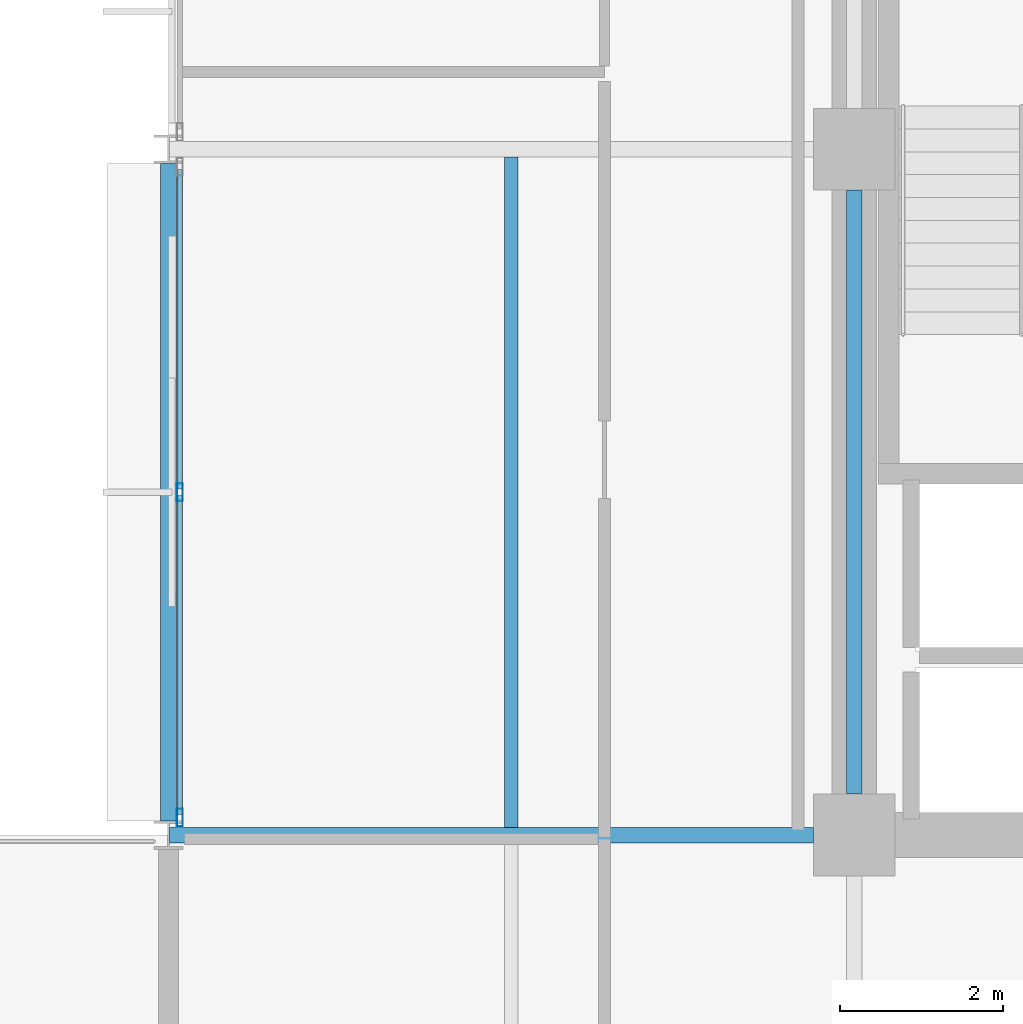
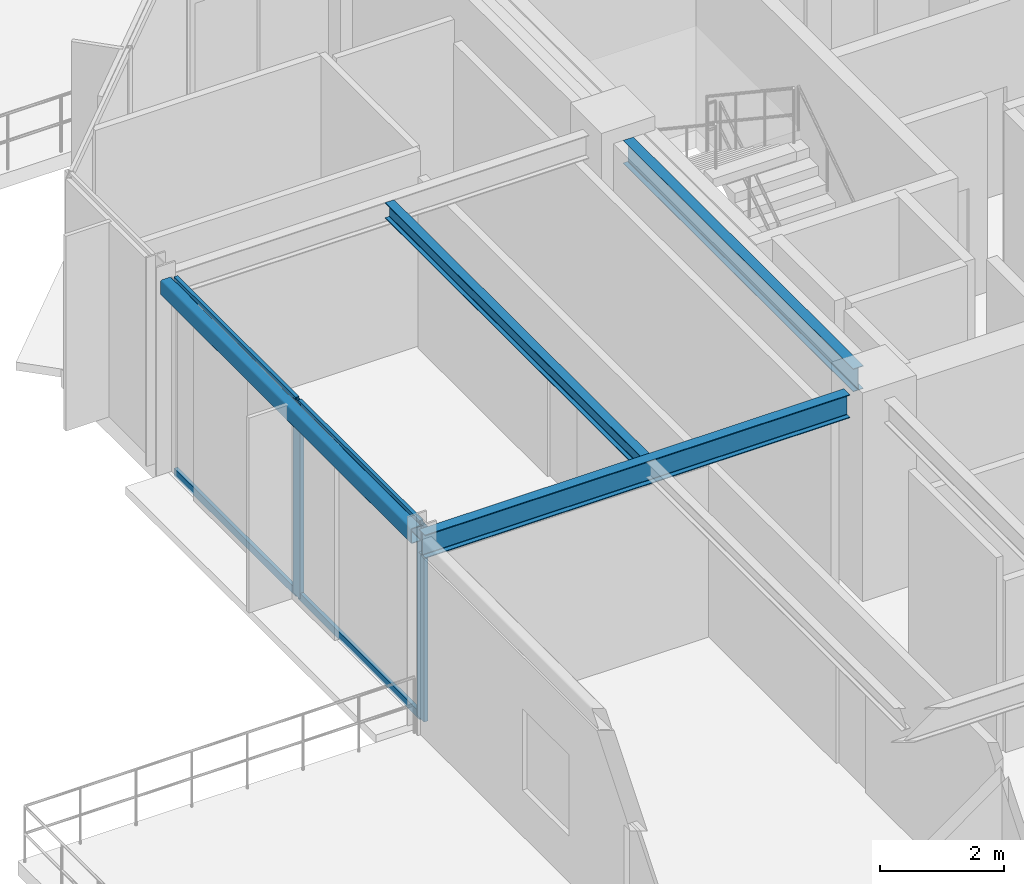
# One storey, part 5 of 21: 6 members, 4 beams, 1 element without a shape of its own.
"""IFC4 building model written with IfcOpenShell, lengths in metres."""

import ifcopenshell
import ifcopenshell.guid

model = None  # the IFC model being written
_history = None  # IfcOwnerHistory: only IFC2X3 demands one
_inside = {}  # id of a spatial element -> (the spatial element, [elements in it])
_under = {}  # id of a project, library or spatial element -> (it, [spatial elements below it])
_declared = {}  # id of a project -> (the project, [libraries it declares])
_typed = {}  # id of a type object -> (the type object, [elements of that type])
_made_of = {}  # id of a material, layer set ... -> (it, [elements and type objects made of it])


def new_model(schema):
    """Start an empty IFC model of exactly this schema.

    Asked for "IFC4X3", IfcOpenShell would pick the latest addendum, in which some entities
    have other attributes; the version numbers below select the first issue.
    IFC2X3 requires an IfcOwnerHistory on every rooted entity: one is made here for all.
    """
    global model, _history
    if schema == "IFC4X3":
        model = ifcopenshell.file(schema_version=(4, 3, 0, 0))
    else:
        model = ifcopenshell.file(schema=schema)
    _inside.clear()
    _under.clear()
    _declared.clear()
    _typed.clear()
    _made_of.clear()
    _history = None
    if model.schema == "IFC2X3":
        org = make("IfcOrganization", Name="unknown")
        user = make(
            "IfcPersonAndOrganization",
            ThePerson=make("IfcPerson", FamilyName="unknown"),
            TheOrganization=org,
        )
        app = make(
            "IfcApplication",
            ApplicationDeveloper=org,
            Version="unknown",
            ApplicationFullName="unknown",
            ApplicationIdentifier="unknown",
        )
        _history = make(
            "IfcOwnerHistory",
            OwningUser=user,
            OwningApplication=app,
            ChangeAction="ADDED",
            CreationDate=0,
        )
    return model


def make(cls, **values):
    """One entity of the class cls with the attributes given. An attribute that is None is left unset."""
    return model.create_entity(
        cls, **{name: value for name, value in values.items() if value is not None}
    )


def rooted(cls, **values):
    """An entity with a GlobalId (a new one), such as an element, a storey or a relation."""
    return make(cls, GlobalId=ifcopenshell.guid.new(), OwnerHistory=_history, **values)


def si_unit(unit_type, name, prefix=None):
    """IfcSIUnit, for example si_unit("LENGTHUNIT", "METRE", prefix="MILLI")."""
    return make("IfcSIUnit", UnitType=unit_type, Prefix=prefix, Name=name)


def assignment(units):
    """IfcUnitAssignment: the units of a project."""
    return None if units is None else make("IfcUnitAssignment", Units=units)


def point(xyz):
    """IfcCartesianPoint."""
    return None if xyz is None else make("IfcCartesianPoint", Coordinates=xyz)


def direction(xyz):
    """IfcDirection."""
    return None if xyz is None else make("IfcDirection", DirectionRatios=xyz)


def frame(location, z_axis=None, x_axis=None):
    """IfcAxis2Placement3D, a coordinate frame: its origin and axes. An axis left out is left unset."""
    return make(
        "IfcAxis2Placement3D",
        Location=point(location),
        Axis=direction(z_axis),
        RefDirection=direction(x_axis),
    )


def frame_2d(location, x_axis=None):
    """IfcAxis2Placement2D, a coordinate frame in the plane: its origin and x axis."""
    return make(
        "IfcAxis2Placement2D", Location=point(location), RefDirection=direction(x_axis)
    )


def origin():
    """The frame at (0, 0, 0) with its axes left unset."""
    return frame((0.0, 0.0, 0.0))


def origin_2d():
    """The frame at (0, 0) in the plane with its x axis left unset."""
    return frame_2d((0.0, 0.0))


def place(relative_to, where):
    """IfcLocalPlacement: puts the frame where relative to a parent placement (None: the world)."""
    return make(
        "IfcLocalPlacement", PlacementRelTo=relative_to, RelativePlacement=where
    )


def context(
    kind, dimensions, precision=None, world=None, true_north=None, identifier=None
):
    """IfcGeometricRepresentationContext, for example the 3D "Model" context."""
    return make(
        "IfcGeometricRepresentationContext",
        ContextIdentifier=identifier,
        ContextType=kind,
        CoordinateSpaceDimension=dimensions,
        Precision=precision,
        WorldCoordinateSystem=world,
        TrueNorth=true_north,
    )


def subcontext(parent, identifier, kind, view, scale=None):
    """IfcGeometricRepresentationSubContext, for example "Body" below "Model"."""
    return make(
        "IfcGeometricRepresentationSubContext",
        ContextIdentifier=identifier,
        ContextType=kind,
        ParentContext=parent,
        TargetScale=scale,
        TargetView=view,
    )


def project(units=None, contexts=None):
    """IfcProject with its units and contexts."""
    return rooted(
        "IfcProject",
        Name="project",
        RepresentationContexts=contexts,
        UnitsInContext=assignment(units),
    )


def spatial(cls, under=None, at=None, **own):
    """A site, building, storey or space (cls), placed at a placement, below another one or the project."""
    s = rooted(cls, ObjectPlacement=at, **own)
    if under is not None:
        _under.setdefault(under.id(), (under, []))[1].append(s)
    return s


def profile(cls, at=None, kind="AREA", **sizes):
    """A parametric profile (cls). Its sizes go by their IFC names, for example OverallWidth=200.0."""
    return make(cls, ProfileType=kind, Position=at, **sizes)


def hollow_rectangle(**sizes):
    """IfcRectangleHollowProfileDef."""
    return profile("IfcRectangleHollowProfileDef", **sizes)


def i_section(**sizes):
    """IfcIShapeProfileDef."""
    return profile("IfcIShapeProfileDef", **sizes)


def extrude(swept, where, along, depth):
    """IfcExtrudedAreaSolid: the profile swept, set in the frame where, extruded along a direction by depth."""
    return make(
        "IfcExtrudedAreaSolid",
        SweptArea=swept,
        Position=where,
        ExtrudedDirection=direction(along),
        Depth=depth,
    )


def shape(context_of_items, identifier, shape_type, items):
    """IfcShapeRepresentation: the items that make up one representation, for example the "Body"."""
    return make(
        "IfcShapeRepresentation",
        ContextOfItems=context_of_items,
        RepresentationIdentifier=identifier,
        RepresentationType=shape_type,
        Items=items,
    )


def material(Name=None, Category=None):
    """IfcMaterial."""
    return make("IfcMaterial", Name=Name, Category=Category)


def layer(
    of_material, thickness, ventilated=None, Name=None, Category=None, Priority=None
):
    """IfcMaterialLayer: one layer of a wall or slab, of a material (None: an air gap)."""
    return make(
        "IfcMaterialLayer",
        Material=of_material,
        LayerThickness=thickness,
        IsVentilated=ventilated,
        Name=Name,
        Category=Category,
        Priority=Priority,
    )


def layer_set(layers, Name=None):
    """IfcMaterialLayerSet."""
    return make("IfcMaterialLayerSet", MaterialLayers=layers, LayerSetName=Name)


def material_profile(
    of_material, cross_section, Name=None, Category=None, Priority=None
):
    """IfcMaterialProfile: a cross section and its material."""
    return make(
        "IfcMaterialProfile",
        Name=Name,
        Material=of_material,
        Profile=cross_section,
        Priority=Priority,
        Category=Category,
    )


def profile_set(profiles, Name=None, composite=None):
    """IfcMaterialProfileSet."""
    return make(
        "IfcMaterialProfileSet",
        Name=Name,
        MaterialProfiles=profiles,
        CompositeProfile=composite,
    )


def made_of(thing, what):
    """Note that an element or type object is made of a material, layer set ...; save() writes the relation."""
    if what is not None:
        _made_of.setdefault(what.id(), (what, []))[1].append(thing)
    return thing


def type_object(cls, material=None, **own):
    """A type object (cls), such as IfcWallType, which elements share."""
    return made_of(rooted(cls, **own), material)


def element(
    cls,
    number,
    at=None,
    inside=None,
    cuts=None,
    type_object=None,
    material=None,
    context=None,
    identifier="Body",
    shape_type=None,
    held_by="IfcProductDefinitionShape",
    body=None,
    shapes=None,
    **own,
):
    """One element of the class cls, such as IfcWall. Its Tag is "e" and its number.

    at: its placement. inside: the storey or other place that contains it. cuts: it is an
    opening in that element (IfcRelVoidsElement). A single representation is given by context,
    identifier, shape_type and body (its items); several are given by shapes. held_by: the class
    of the entity that holds the representations. save() writes the other relations.
    """
    e = rooted(cls, Tag="e%d" % number, ObjectPlacement=at, **own)
    if body is not None:
        shapes = [shape(context, identifier, shape_type, body)]
    if shapes is not None:
        e.Representation = make(held_by, Representations=shapes)
    if inside is not None:
        _inside.setdefault(inside.id(), (inside, []))[1].append(e)
    if cuts is not None:
        rooted(
            "IfcRelVoidsElement", RelatingBuildingElement=cuts, RelatedOpeningElement=e
        )
    if type_object is not None:
        _typed.setdefault(type_object.id(), (type_object, []))[1].append(e)
    return made_of(e, material)


def aggregate(whole, parts):
    """IfcRelAggregates: a whole, such as a stair, and the parts it consists of."""
    return rooted("IfcRelAggregates", RelatingObject=whole, RelatedObjects=parts)


def save(model, path):
    """Write the relations noted so far, then the file.

    IfcRelAggregates (storeys below a building ...), IfcRelContainedInSpatialStructure (elements
    in a storey), IfcRelDefinesByType, IfcRelAssociatesMaterial and IfcRelDeclares: one each for
    every whole, place, type object, material and project.
    """
    for whole, parts in _under.values():
        aggregate(whole, parts)
    for where, things in _inside.values():
        rooted(
            "IfcRelContainedInSpatialStructure",
            RelatedElements=things,
            RelatingStructure=where,
        )
    for kind, things in _typed.values():
        rooted("IfcRelDefinesByType", RelatedObjects=things, RelatingType=kind)
    for what, things in _made_of.values():
        rooted("IfcRelAssociatesMaterial", RelatedObjects=things, RelatingMaterial=what)
    for by, libraries in _declared.values():
        rooted("IfcRelDeclares", RelatingContext=by, RelatedDefinitions=libraries)
    model.write(path)


model = new_model("IFC4")

# Units and contexts
model_context = context("Model", 3, precision=1e-05, world=origin(), true_north=direction((0.0, 1.0)))
body_context = subcontext(model_context, "Body", "Model", "MODEL_VIEW")
ifc_project = project(units=[si_unit("LENGTHUNIT", "METRE"), si_unit("AREAUNIT", "SQUARE_METRE"), si_unit("VOLUMEUNIT", "CUBIC_METRE"), si_unit("PLANEANGLEUNIT", "RADIAN"), si_unit("MASSUNIT", "GRAM", prefix="KILO")], contexts=[model_context])

# Site, building, storey
site_placement = place(None, origin())
site = spatial("IfcSite", under=ifc_project, at=site_placement, CompositionType="ELEMENT")
building_placement = place(site_placement, origin())
building = spatial("IfcBuilding", under=site, at=building_placement, Name="Nerrivon Quay Data Exchange", CompositionType="ELEMENT")
storey_placement = place(building_placement, frame((0.0, 0.0, 220.60009765625)))
storey = spatial("IfcBuildingStorey", under=building, at=storey_placement, Name="L52", CompositionType="ELEMENT", Elevation=220.60009765625)

# Beams
ifc_material_1 = material(Name="Steel Grade 350", Category="steel")
ifc_material_profile_1 = material_profile(ifc_material_1, i_section(OverallWidth=0.19091796875, OverallDepth=0.4599609375, WebThickness=0.010009765625, FlangeThickness=0.01611328125, FilletRadius=0.011474609375, at=origin_2d()), Name="460UB82.1")
ifc_profile_set_1 = profile_set([ifc_material_profile_1], Name="Steel Grade 350")
beam_type_1 = type_object("IfcBeamType", Name="BM-G5-460UB82", PredefinedType="BEAM", material=ifc_profile_set_1)
beam_1_placement = place(storey_placement, frame((0.010009765625, 25.199951171875, 3.594970703125), z_axis=(1.0, 0.0, 0.0), x_axis=(0.0, 1.0, 0.0)))
element("IfcBeam", 1, at=beam_1_placement, inside=storey, type_object=beam_type_1, Name="L52 EW Girder Y=25.2 (0.0..8.4)", PredefinedType="BEAM", context=body_context, shape_type="SweptSolid", body=[
    extrude(i_section(OverallWidth=0.19091796875, OverallDepth=0.4599609375, WebThickness=0.010009765625, FlangeThickness=0.01611328125, FilletRadius=0.011474609375, at=origin_2d()), origin(), (0.0, 0.0, 1.0), 7.889892578125),
])
ifc_material_profile_2 = material_profile(ifc_material_1, i_section(OverallWidth=0.18994140625, OverallDepth=0.4541015625, WebThickness=0.008544921875, FlangeThickness=0.0126953125, FilletRadius=0.011474609375, at=origin_2d()), Name="460UB67.1")
ifc_profile_set_2 = profile_set([ifc_material_profile_2], Name="Steel Grade 350")
beam_type_2 = type_object("IfcBeamType", Name="BM-G6-460UB67", PredefinedType="BEAM", material=ifc_profile_set_2)
beam_2_placement = place(storey_placement, frame((8.39990234375, 25.699951171875, 3.597900390625), z_axis=(0.0, 1.0, 0.0), x_axis=(-1.0, 0.0, 0.0)))
element("IfcBeam", 2, at=beam_2_placement, inside=storey, type_object=beam_type_2, Name="L52 NS Girder X=8.4 (25.2..33.6)", PredefinedType="BEAM", context=body_context, shape_type="SweptSolid", body=[
    extrude(i_section(OverallWidth=0.18994140625, OverallDepth=0.4541015625, WebThickness=0.008544921875, FlangeThickness=0.0126953125, FilletRadius=0.011474609375, at=origin_2d()), origin(), (0.0, 0.0, 1.0), 7.400146484375),
])
ifc_material_profile_3 = material_profile(ifc_material_1, i_section(OverallWidth=0.166015625, OverallDepth=0.306884765625, WebThickness=0.006591796875, FlangeThickness=0.01171875, FilletRadius=0.011474609375, at=origin_2d()), Name="310UB46.2")
ifc_profile_set_3 = profile_set([ifc_material_profile_3], Name="Steel Grade 350")
beam_type_3 = type_object("IfcBeamType", Name="BM-J5-310UB46", PredefinedType="JOIST", material=ifc_profile_set_3)
beam_3_placement = place(storey_placement, frame((4.199951171875, 25.29541015625, 3.67138671875), z_axis=(0.0, 1.0, 0.0), x_axis=(-1.0, 0.0, 0.0)))
element("IfcBeam", 3, at=beam_3_placement, inside=storey, type_object=beam_type_3, Name="L52 Secondary Joist X=4.2 (25.2..33.6)", PredefinedType="JOIST", context=body_context, shape_type="SweptSolid", body=[
    extrude(i_section(OverallWidth=0.166015625, OverallDepth=0.306884765625, WebThickness=0.006591796875, FlangeThickness=0.01171875, FilletRadius=0.011474609375, at=origin_2d()), origin(), (0.0, 0.0, 1.0), 8.208984375),
])
ifc_material_2 = material(Name="Steel Grade C350L0 (350 MPa)", Category="steel")
ifc_material_profile_4 = material_profile(ifc_material_2, hollow_rectangle(XDim=0.199951171875, YDim=0.300048828125, WallThickness=0.012451171875, InnerFilletRadius=0.018798828125, OuterFilletRadius=0.03125, at=origin_2d()), Name="300x200x12.5RHS")
ifc_profile_set_4 = profile_set([ifc_material_profile_4], Name="Steel Grade C350L0 (350 MPa)")
beam_type_4 = type_object("IfcBeamType", Name="BM-SP3-300x200RHS", PredefinedType="SPANDREL", material=ifc_profile_set_4)
beam_4_placement = place(storey_placement, frame((0.0, 25.375, 3.6748046875), z_axis=(0.0, 1.0, 0.0), x_axis=(-1.0, 0.0, 0.0)))
element("IfcBeam", 4, at=beam_4_placement, inside=storey, type_object=beam_type_4, Name="L52 NS Girder X=0.0 (25.2..33.6)", PredefinedType="SPANDREL", context=body_context, shape_type="SweptSolid", body=[
    extrude(hollow_rectangle(XDim=0.199951171875, YDim=0.300048828125, WallThickness=0.012451171875, InnerFilletRadius=0.018798828125, OuterFilletRadius=0.03125, at=origin_2d()), origin(), (0.0, 0.0, 1.0), 8.050048828125),
])

# Curtain wall, members
ifc_material_3 = material(Name="Anodised aluminium 6063-T6", Category="aluminium")
ifc_layer = layer(ifc_material_3, 0.22998046875)
ifc_layer_set = layer_set([ifc_layer], Name="Anodised aluminium 6063-T6")
curtain_wall_type = type_object("IfcCurtainWallType", Name="CW-SYS-05", PredefinedType="NOTDEFINED", material=ifc_layer_set)
curtain_wall_placement = place(storey_placement, origin())
curtain_wall = element("IfcCurtainWall", 5, at=curtain_wall_placement, inside=storey, type_object=curtain_wall_type, Name="L52 Unitised Curtain Wall 14", PredefinedType="NOTDEFINED")
ifc_material_profile_5 = material_profile(ifc_material_3, hollow_rectangle(XDim=0.074951171875, YDim=0.219970703125, WallThickness=0.00390625, at=origin_2d()), Name="ALU-MULL-220x75")
ifc_profile_set_5 = profile_set([ifc_material_profile_5], Name="Anodised aluminium 6063-T6")
member_type_1 = type_object("IfcMemberType", Name="CWM-220x75", PredefinedType="MULLION", material=ifc_profile_set_5)
member_1_placement = place(storey_placement, frame((0.139892578125, 25.41259765625, 0.0), z_axis=(0.0, 0.0, 1.0), x_axis=(-1.0, 0.0, 0.0)))
member_1 = element("IfcMember", 6, at=member_1_placement, type_object=member_type_1, Name="CW05 mullion 1", PredefinedType="MULLION", context=body_context, shape_type="SweptSolid", body=[
    extrude(hollow_rectangle(XDim=0.074951171875, YDim=0.219970703125, WallThickness=0.00390625, at=origin_2d()), origin(), (0.0, 0.0, 1.0), 3.824951171875),
])
member_2_placement = place(storey_placement, frame((0.139892578125, 29.39990234375, 0.0), z_axis=(0.0, 0.0, 1.0), x_axis=(-1.0, 0.0, 0.0)))
member_2 = element("IfcMember", 7, at=member_2_placement, type_object=member_type_1, Name="CW05 mullion 2", PredefinedType="MULLION", context=body_context, shape_type="SweptSolid", body=[
    extrude(hollow_rectangle(XDim=0.074951171875, YDim=0.219970703125, WallThickness=0.00390625, at=origin_2d()), origin(), (0.0, 0.0, 1.0), 3.824951171875),
])
ifc_material_profile_6 = material_profile(ifc_material_3, hollow_rectangle(XDim=0.06494140625, YDim=0.14990234375, WallThickness=0.00341796875, at=origin_2d()), Name="ALU-TRAN-150x65")
ifc_profile_set_6 = profile_set([ifc_material_profile_6], Name="Anodised aluminium 6063-T6")
member_type_2 = type_object("IfcMemberType", Name="CWT-150x65", PredefinedType="USERDEFINED", material=ifc_profile_set_6)
member_3_placement = place(storey_placement, frame((0.139892578125, 25.449951171875, 0.032470703125), z_axis=(0.0, 1.0, 0.0), x_axis=(-1.0, 0.0, 0.0)))
member_3 = element("IfcMember", 8, at=member_3_placement, type_object=member_type_2, Name="CW05 transom 1.1", ObjectType="TRANSOM", PredefinedType="USERDEFINED", context=body_context, shape_type="SweptSolid", body=[
    extrude(hollow_rectangle(XDim=0.06494140625, YDim=0.14990234375, WallThickness=0.00341796875, at=origin_2d()), origin(), (0.0, 0.0, 1.0), 3.91259765625),
])
member_4_placement = place(storey_placement, frame((0.139892578125, 25.449951171875, 3.79248046875), z_axis=(0.0, 1.0, 0.0), x_axis=(-1.0, 0.0, 0.0)))
member_4 = element("IfcMember", 9, at=member_4_placement, type_object=member_type_2, Name="CW05 transom 1.2", ObjectType="TRANSOM", PredefinedType="USERDEFINED", context=body_context, shape_type="SweptSolid", body=[
    extrude(hollow_rectangle(XDim=0.06494140625, YDim=0.14990234375, WallThickness=0.00341796875, at=origin_2d()), origin(), (0.0, 0.0, 1.0), 3.91259765625),
])
member_5_placement = place(storey_placement, frame((0.139892578125, 29.4375, 0.032470703125), z_axis=(0.0, 1.0, 0.0), x_axis=(-1.0, 0.0, 0.0)))
member_5 = element("IfcMember", 10, at=member_5_placement, type_object=member_type_2, Name="CW05 transom 2.1", ObjectType="TRANSOM", PredefinedType="USERDEFINED", context=body_context, shape_type="SweptSolid", body=[
    extrude(hollow_rectangle(XDim=0.06494140625, YDim=0.14990234375, WallThickness=0.00341796875, at=origin_2d()), origin(), (0.0, 0.0, 1.0), 3.91259765625),
])
member_6_placement = place(storey_placement, frame((0.139892578125, 29.4375, 3.79248046875), z_axis=(0.0, 1.0, 0.0), x_axis=(-1.0, 0.0, 0.0)))
member_6 = element("IfcMember", 11, at=member_6_placement, type_object=member_type_2, Name="CW05 transom 2.2", ObjectType="TRANSOM", PredefinedType="USERDEFINED", context=body_context, shape_type="SweptSolid", body=[
    extrude(hollow_rectangle(XDim=0.06494140625, YDim=0.14990234375, WallThickness=0.00341796875, at=origin_2d()), origin(), (0.0, 0.0, 1.0), 3.91259765625),
])
aggregate(curtain_wall, [member_1, member_2, member_3, member_4, member_5, member_6])

save(model, "model.ifc")
